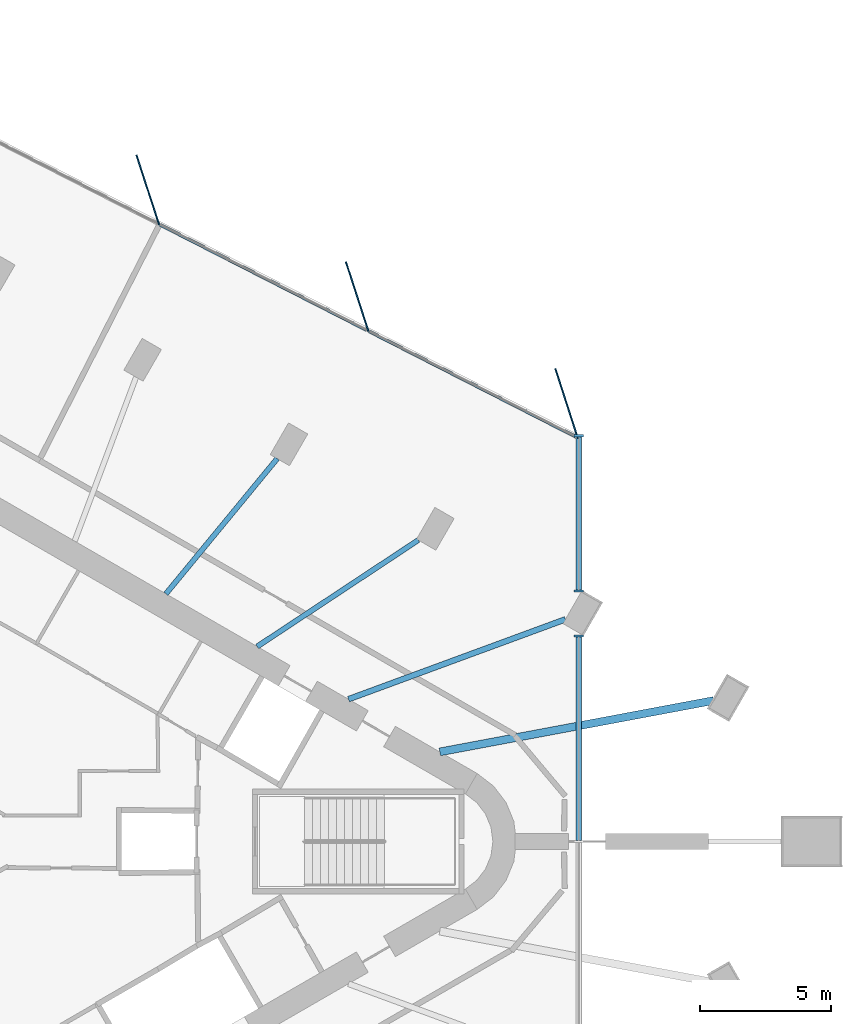
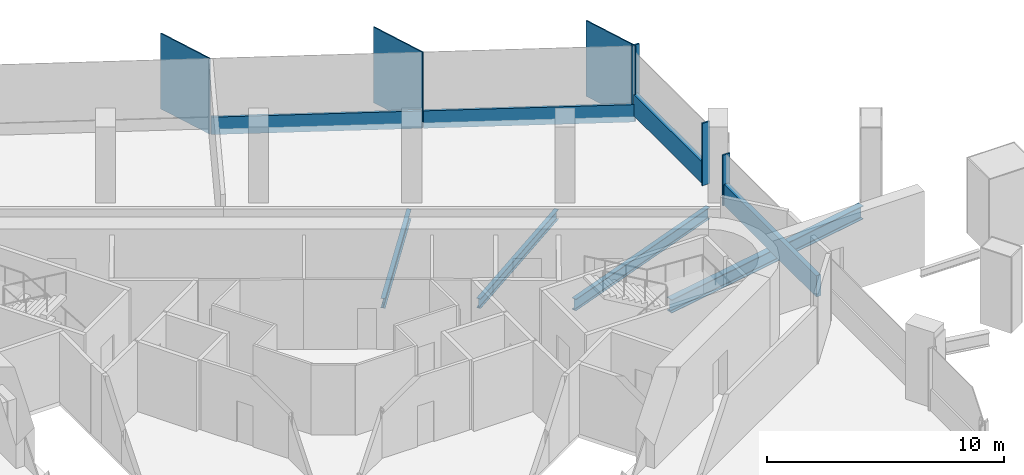
# One storey, part 5 of 12: 10 members, 4 beams, 3 elements without a shape of their own.
"""IFC4 building model written with IfcOpenShell, lengths in metres."""

import ifcopenshell
import ifcopenshell.guid

model = None  # the IFC model being written
_history = None  # IfcOwnerHistory: only IFC2X3 demands one
_inside = {}  # id of a spatial element -> (the spatial element, [elements in it])
_under = {}  # id of a project, library or spatial element -> (it, [spatial elements below it])
_declared = {}  # id of a project -> (the project, [libraries it declares])
_typed = {}  # id of a type object -> (the type object, [elements of that type])
_made_of = {}  # id of a material, layer set ... -> (it, [elements and type objects made of it])


def new_model(schema):
    """Start an empty IFC model of exactly this schema.

    Asked for "IFC4X3", IfcOpenShell would pick the latest addendum, in which some entities
    have other attributes; the version numbers below select the first issue.
    IFC2X3 requires an IfcOwnerHistory on every rooted entity: one is made here for all.
    """
    global model, _history
    if schema == "IFC4X3":
        model = ifcopenshell.file(schema_version=(4, 3, 0, 0))
    else:
        model = ifcopenshell.file(schema=schema)
    _inside.clear()
    _under.clear()
    _declared.clear()
    _typed.clear()
    _made_of.clear()
    _history = None
    if model.schema == "IFC2X3":
        org = make("IfcOrganization", Name="unknown")
        user = make(
            "IfcPersonAndOrganization",
            ThePerson=make("IfcPerson", FamilyName="unknown"),
            TheOrganization=org,
        )
        app = make(
            "IfcApplication",
            ApplicationDeveloper=org,
            Version="unknown",
            ApplicationFullName="unknown",
            ApplicationIdentifier="unknown",
        )
        _history = make(
            "IfcOwnerHistory",
            OwningUser=user,
            OwningApplication=app,
            ChangeAction="ADDED",
            CreationDate=0,
        )
    return model


def make(cls, **values):
    """One entity of the class cls with the attributes given. An attribute that is None is left unset."""
    return model.create_entity(
        cls, **{name: value for name, value in values.items() if value is not None}
    )


def rooted(cls, **values):
    """An entity with a GlobalId (a new one), such as an element, a storey or a relation."""
    return make(cls, GlobalId=ifcopenshell.guid.new(), OwnerHistory=_history, **values)


def si_unit(unit_type, name, prefix=None):
    """IfcSIUnit, for example si_unit("LENGTHUNIT", "METRE", prefix="MILLI")."""
    return make("IfcSIUnit", UnitType=unit_type, Prefix=prefix, Name=name)


def assignment(units):
    """IfcUnitAssignment: the units of a project."""
    return None if units is None else make("IfcUnitAssignment", Units=units)


def point(xyz):
    """IfcCartesianPoint."""
    return None if xyz is None else make("IfcCartesianPoint", Coordinates=xyz)


def direction(xyz):
    """IfcDirection."""
    return None if xyz is None else make("IfcDirection", DirectionRatios=xyz)


def frame(location, z_axis=None, x_axis=None):
    """IfcAxis2Placement3D, a coordinate frame: its origin and axes. An axis left out is left unset."""
    return make(
        "IfcAxis2Placement3D",
        Location=point(location),
        Axis=direction(z_axis),
        RefDirection=direction(x_axis),
    )


def frame_2d(location, x_axis=None):
    """IfcAxis2Placement2D, a coordinate frame in the plane: its origin and x axis."""
    return make(
        "IfcAxis2Placement2D", Location=point(location), RefDirection=direction(x_axis)
    )


def origin():
    """The frame at (0, 0, 0) with its axes left unset."""
    return frame((0.0, 0.0, 0.0))


def origin_2d():
    """The frame at (0, 0) in the plane with its x axis left unset."""
    return frame_2d((0.0, 0.0))


def place(relative_to, where):
    """IfcLocalPlacement: puts the frame where relative to a parent placement (None: the world)."""
    return make(
        "IfcLocalPlacement", PlacementRelTo=relative_to, RelativePlacement=where
    )


def context(
    kind, dimensions, precision=None, world=None, true_north=None, identifier=None
):
    """IfcGeometricRepresentationContext, for example the 3D "Model" context."""
    return make(
        "IfcGeometricRepresentationContext",
        ContextIdentifier=identifier,
        ContextType=kind,
        CoordinateSpaceDimension=dimensions,
        Precision=precision,
        WorldCoordinateSystem=world,
        TrueNorth=true_north,
    )


def subcontext(parent, identifier, kind, view, scale=None):
    """IfcGeometricRepresentationSubContext, for example "Body" below "Model"."""
    return make(
        "IfcGeometricRepresentationSubContext",
        ContextIdentifier=identifier,
        ContextType=kind,
        ParentContext=parent,
        TargetScale=scale,
        TargetView=view,
    )


def project(units=None, contexts=None):
    """IfcProject with its units and contexts."""
    return rooted(
        "IfcProject",
        Name="project",
        RepresentationContexts=contexts,
        UnitsInContext=assignment(units),
    )


def spatial(cls, under=None, at=None, **own):
    """A site, building, storey or space (cls), placed at a placement, below another one or the project."""
    s = rooted(cls, ObjectPlacement=at, **own)
    if under is not None:
        _under.setdefault(under.id(), (under, []))[1].append(s)
    return s


def profile(cls, at=None, kind="AREA", **sizes):
    """A parametric profile (cls). Its sizes go by their IFC names, for example OverallWidth=200.0."""
    return make(cls, ProfileType=kind, Position=at, **sizes)


def rectangle(**sizes):
    """IfcRectangleProfileDef."""
    return profile("IfcRectangleProfileDef", **sizes)


def i_section(**sizes):
    """IfcIShapeProfileDef."""
    return profile("IfcIShapeProfileDef", **sizes)


def extrude(swept, where, along, depth):
    """IfcExtrudedAreaSolid: the profile swept, set in the frame where, extruded along a direction by depth."""
    return make(
        "IfcExtrudedAreaSolid",
        SweptArea=swept,
        Position=where,
        ExtrudedDirection=direction(along),
        Depth=depth,
    )


def shape(context_of_items, identifier, shape_type, items):
    """IfcShapeRepresentation: the items that make up one representation, for example the "Body"."""
    return make(
        "IfcShapeRepresentation",
        ContextOfItems=context_of_items,
        RepresentationIdentifier=identifier,
        RepresentationType=shape_type,
        Items=items,
    )


def material(Name=None, Category=None):
    """IfcMaterial."""
    return make("IfcMaterial", Name=Name, Category=Category)


def material_profile(
    of_material, cross_section, Name=None, Category=None, Priority=None
):
    """IfcMaterialProfile: a cross section and its material."""
    return make(
        "IfcMaterialProfile",
        Name=Name,
        Material=of_material,
        Profile=cross_section,
        Priority=Priority,
        Category=Category,
    )


def profile_set(profiles, Name=None, composite=None):
    """IfcMaterialProfileSet."""
    return make(
        "IfcMaterialProfileSet",
        Name=Name,
        MaterialProfiles=profiles,
        CompositeProfile=composite,
    )


def made_of(thing, what):
    """Note that an element or type object is made of a material, layer set ...; save() writes the relation."""
    if what is not None:
        _made_of.setdefault(what.id(), (what, []))[1].append(thing)
    return thing


def type_object(cls, material=None, **own):
    """A type object (cls), such as IfcWallType, which elements share."""
    return made_of(rooted(cls, **own), material)


def element(
    cls,
    number,
    at=None,
    inside=None,
    cuts=None,
    type_object=None,
    material=None,
    context=None,
    identifier="Body",
    shape_type=None,
    held_by="IfcProductDefinitionShape",
    body=None,
    shapes=None,
    **own,
):
    """One element of the class cls, such as IfcWall. Its Tag is "e" and its number.

    at: its placement. inside: the storey or other place that contains it. cuts: it is an
    opening in that element (IfcRelVoidsElement). A single representation is given by context,
    identifier, shape_type and body (its items); several are given by shapes. held_by: the class
    of the entity that holds the representations. save() writes the other relations.
    """
    e = rooted(cls, Tag="e%d" % number, ObjectPlacement=at, **own)
    if body is not None:
        shapes = [shape(context, identifier, shape_type, body)]
    if shapes is not None:
        e.Representation = make(held_by, Representations=shapes)
    if inside is not None:
        _inside.setdefault(inside.id(), (inside, []))[1].append(e)
    if cuts is not None:
        rooted(
            "IfcRelVoidsElement", RelatingBuildingElement=cuts, RelatedOpeningElement=e
        )
    if type_object is not None:
        _typed.setdefault(type_object.id(), (type_object, []))[1].append(e)
    return made_of(e, material)


def aggregate(whole, parts):
    """IfcRelAggregates: a whole, such as a stair, and the parts it consists of."""
    return rooted("IfcRelAggregates", RelatingObject=whole, RelatedObjects=parts)


def save(model, path):
    """Write the relations noted so far, then the file.

    IfcRelAggregates (storeys below a building ...), IfcRelContainedInSpatialStructure (elements
    in a storey), IfcRelDefinesByType, IfcRelAssociatesMaterial and IfcRelDeclares: one each for
    every whole, place, type object, material and project.
    """
    for whole, parts in _under.values():
        aggregate(whole, parts)
    for where, things in _inside.values():
        rooted(
            "IfcRelContainedInSpatialStructure",
            RelatedElements=things,
            RelatingStructure=where,
        )
    for kind, things in _typed.values():
        rooted("IfcRelDefinesByType", RelatedObjects=things, RelatingType=kind)
    for what, things in _made_of.values():
        rooted("IfcRelAssociatesMaterial", RelatedObjects=things, RelatingMaterial=what)
    for by, libraries in _declared.values():
        rooted("IfcRelDeclares", RelatingContext=by, RelatedDefinitions=libraries)
    model.write(path)


model = new_model("IFC4")

# Units and contexts
model_context = context("Model", 3, precision=1e-05, world=origin(), true_north=direction((0.0, 1.0)))
body_context = subcontext(model_context, "Body", "Model", "MODEL_VIEW")
ifc_project = project(units=[si_unit("LENGTHUNIT", "METRE"), si_unit("AREAUNIT", "SQUARE_METRE"), si_unit("VOLUMEUNIT", "CUBIC_METRE"), si_unit("PLANEANGLEUNIT", "RADIAN"), si_unit("MASSUNIT", "GRAM", prefix="KILO")], contexts=[model_context])

# Site, building, storey
site_placement = place(None, origin())
site = spatial("IfcSite", under=ifc_project, at=site_placement, CompositionType="ELEMENT")
building_placement = place(site_placement, origin())
building = spatial("IfcBuilding", under=site, at=building_placement, Name="Tanit Gate Tower", CompositionType="ELEMENT")
storey_placement = place(building_placement, frame((0.0, 0.0, 365.0)))
storey = spatial("IfcBuildingStorey", under=building, at=storey_placement, Name="L83", CompositionType="ELEMENT", Elevation=365.0)

# Curtain wall, members
ifc_material_1 = material(Name="Aluminium bronze anodised and glass", Category="aluminium")
curtain_wall_type_1 = type_object("IfcCurtainWallType", Name="Curtain wall typical high", PredefinedType="NOTDEFINED", material=ifc_material_1)
curtain_wall_1_placement = place(storey_placement, origin())
curtain_wall_1 = element("IfcCurtainWall", 1, at=curtain_wall_1_placement, inside=storey, type_object=curtain_wall_type_1, Name="Curtain wall L83 NE2c", PredefinedType="NOTDEFINED")
ifc_material_2 = material(Name="Aluminium bronze anodised", Category="aluminium")
ifc_material_profile_1 = material_profile(ifc_material_2, rectangle(XDim=2.800048828125, YDim=0.055908203125, at=origin_2d()), Name="56x2800 bronze fin mullion")
ifc_profile_set_1 = profile_set([ifc_material_profile_1], Name="Aluminium bronze anodised")
member_type_1 = type_object("IfcMemberType", Name="FIN MULLION 56x2800 bronze", PredefinedType="MULLION", material=ifc_profile_set_1)
member_1_placement = place(storey_placement, frame((23.118896484375, 16.752685546875, -0.300048828125), z_axis=(0.0, 0.0, 1.0), x_axis=(0.308568289465, -0.951202192353, 0.0)))
member_1 = element("IfcMember", 2, at=member_1_placement, type_object=member_type_1, Name="Fin mullion L83 NE2c.1", PredefinedType="MULLION", context=body_context, shape_type="SweptSolid", body=[
    extrude(rectangle(XDim=2.800048828125, YDim=0.055908203125, at=origin_2d()), origin(), (0.0, 0.0, 1.0), 3.900146484375),
])
member_2_placement = place(storey_placement, frame((15.109375, 20.838623046875, -0.300048828125), z_axis=(0.0, 0.0, 1.0), x_axis=(0.308568289465, -0.951202192353, 0.0)))
member_2 = element("IfcMember", 3, at=member_2_placement, type_object=member_type_1, Name="Fin mullion L83 NE2c.2", PredefinedType="MULLION", context=body_context, shape_type="SweptSolid", body=[
    extrude(rectangle(XDim=2.800048828125, YDim=0.055908203125, at=origin_2d()), origin(), (0.0, 0.0, 1.0), 3.900146484375),
])
member_3_placement = place(storey_placement, frame((7.099853515625, 24.92431640625, -0.300048828125), z_axis=(0.0, 0.0, 1.0), x_axis=(0.308568289465, -0.951202192353, 0.0)))
member_3 = element("IfcMember", 4, at=member_3_placement, type_object=member_type_1, Name="Fin mullion L83 NE2c.3", PredefinedType="MULLION", context=body_context, shape_type="SweptSolid", body=[
    extrude(rectangle(XDim=2.800048828125, YDim=0.055908203125, at=origin_2d()), origin(), (0.0, 0.0, 1.0), 3.900146484375),
])

ifc_material_3 = material(Name="Aluminium bronze anodised and glass", Category="aluminium")
curtain_wall_type_2 = type_object("IfcCurtainWallType", Name="Curtain wall portal glazing", PredefinedType="NOTDEFINED", material=ifc_material_3)
curtain_wall_2_placement = place(storey_placement, origin())
curtain_wall_2 = element("IfcCurtainWall", 5, at=curtain_wall_2_placement, inside=storey, type_object=curtain_wall_type_2, Name="Curtain wall L83 NOTCH1", PredefinedType="NOTDEFINED")
ifc_material_4 = material(Name="Aluminium bronze anodised", Category="aluminium")
ifc_material_profile_2 = material_profile(ifc_material_4, rectangle(XDim=0.360107421875, YDim=0.080078125, at=origin_2d()), Name="80x360 bronze mullion")
ifc_profile_set_2 = profile_set([ifc_material_profile_2], Name="Aluminium bronze anodised")
member_type_2 = type_object("IfcMemberType", Name="Mullion 80x360 portal glazing", PredefinedType="MULLION", material=ifc_profile_set_2)
member_4_placement = place(storey_placement, frame((23.580078125, 15.51611328125, 0.0), z_axis=(0.0, 0.0, 1.0), x_axis=(1.0, 0.0, 0.0)))
member_4 = element("IfcMember", 6, at=member_4_placement, type_object=member_type_2, Name="Mullion L83 NOTCH1.1", PredefinedType="MULLION", context=body_context, shape_type="SweptSolid", body=[
    extrude(rectangle(XDim=0.360107421875, YDim=0.080078125, at=origin_2d()), origin(), (0.0, 0.0, 1.0), 3.60009765625),
])
member_5_placement = place(storey_placement, frame((23.580078125, 9.572265625, 0.0), z_axis=(0.0, 0.0, 1.0), x_axis=(1.0, 0.0, 0.0)))
member_5 = element("IfcMember", 7, at=member_5_placement, type_object=member_type_2, Name="Mullion L83 NOTCH1.2", PredefinedType="MULLION", context=body_context, shape_type="SweptSolid", body=[
    extrude(rectangle(XDim=0.360107421875, YDim=0.080078125, at=origin_2d()), origin(), (0.0, 0.0, 1.0), 3.2099609375),
])

# Curtain wall, member
curtain_wall_3_placement = place(storey_placement, origin())
curtain_wall_3 = element("IfcCurtainWall", 8, at=curtain_wall_3_placement, inside=storey, type_object=curtain_wall_type_2, Name="Curtain wall L83 NOTCH2", PredefinedType="NOTDEFINED")
member_6_placement = place(storey_placement, frame((23.580078125, 7.853271484375, 0.0), z_axis=(0.0, 0.0, 1.0), x_axis=(1.0, 0.0, 0.0)))
member_6 = element("IfcMember", 9, at=member_6_placement, type_object=member_type_2, Name="Mullion L83 NOTCH2.1", PredefinedType="MULLION", context=body_context, shape_type="SweptSolid", body=[
    extrude(rectangle(XDim=0.360107421875, YDim=0.080078125, at=origin_2d()), origin(), (0.0, 0.0, 1.0), 2.610107421875),
])

# Beams
ifc_material_5 = material(Name="Steel S355", Category="steel")
ifc_material_profile_3 = material_profile(ifc_material_5, i_section(OverallWidth=0.300048828125, OverallDepth=0.68994140625, WebThickness=0.014404296875, FlangeThickness=0.027099609375, FilletRadius=0.027099609375, at=origin_2d()), Name="HEA 700")
ifc_profile_set_3 = profile_set([ifc_material_profile_3], Name="Steel S355")
beam_type_1 = type_object("IfcBeamType", Name="RADIAL GIRDER HEA 700 S355", PredefinedType="BEAM", material=ifc_profile_set_3)
beam_1_placement = place(storey_placement, frame((28.745361328125, 5.390869140625, -0.64501953125), z_axis=(-0.982865703548, -0.184323109754, 0.0), x_axis=(0.184323109754, -0.982865703548, 0.0)))
element("IfcBeam", 10, at=beam_1_placement, inside=storey, type_object=beam_type_1, Name="RADIAL GIRDER", PredefinedType="BEAM", context=body_context, shape_type="SweptSolid", body=[
    extrude(i_section(OverallWidth=0.300048828125, OverallDepth=0.68994140625, WebThickness=0.014404296875, FlangeThickness=0.027099609375, FilletRadius=0.027099609375, at=origin_2d()), origin(), (0.0, 0.0, 1.0), 10.658447265625),
])
ifc_material_6 = material(Name="Steel S355", Category="steel")
ifc_material_profile_4 = material_profile(ifc_material_6, i_section(OverallWidth=0.199951171875, OverallDepth=0.5, WebThickness=0.01025390625, FlangeThickness=0.01611328125, FilletRadius=0.02099609375, at=origin_2d()), Name="IPE 500")
ifc_profile_set_4 = profile_set([ifc_material_profile_4], Name="Steel S355")
beam_type_2 = type_object("IfcBeamType", Name="RADIAL GIRDER IPE 500 S355", PredefinedType="BEAM", material=ifc_profile_set_4)
beam_2_placement = place(storey_placement, frame((17.447021484375, 11.526611328125, -0.550048828125), z_axis=(-0.834352975329, -0.551230543929, 0.0), x_axis=(0.551230543929, -0.834352975329, 0.0)))
element("IfcBeam", 11, at=beam_2_placement, inside=storey, type_object=beam_type_2, Name="RADIAL GIRDER", PredefinedType="BEAM", context=body_context, shape_type="SweptSolid", body=[
    extrude(i_section(OverallWidth=0.199951171875, OverallDepth=0.5, WebThickness=0.01025390625, FlangeThickness=0.01611328125, FilletRadius=0.02099609375, at=origin_2d()), origin(), (0.0, 0.0, 1.0), 7.38232421875),
])
beam_3_placement = place(storey_placement, frame((12.05078125, 14.64208984375, -0.550048828125), z_axis=(-0.63547714301, -0.772119680303, 0.0), x_axis=(0.772119680303, -0.63547714301, 0.0)))
element("IfcBeam", 12, at=beam_3_placement, inside=storey, type_object=beam_type_2, Name="RADIAL GIRDER", PredefinedType="BEAM", context=body_context, shape_type="SweptSolid", body=[
    extrude(i_section(OverallWidth=0.199951171875, OverallDepth=0.5, WebThickness=0.01025390625, FlangeThickness=0.01611328125, FilletRadius=0.02099609375, at=origin_2d()), origin(), (0.0, 0.0, 1.0), 6.69482421875),
])
ifc_material_7 = material(Name="Steel S355", Category="steel")
ifc_material_profile_5 = material_profile(ifc_material_7, i_section(OverallWidth=0.219970703125, OverallDepth=0.60009765625, WebThickness=0.011962890625, FlangeThickness=0.01904296875, FilletRadius=0.02392578125, at=origin_2d()), Name="IPE 600")
ifc_profile_set_5 = profile_set([ifc_material_profile_5], Name="Steel S355")
beam_type_3 = type_object("IfcBeamType", Name="RADIAL GIRDER IPE 600 S355", PredefinedType="BEAM", material=ifc_profile_set_5)
beam_4_placement = place(storey_placement, frame((23.074462890625, 8.49658203125, -0.60009765625), z_axis=(-0.938405339551, -0.345536421673, 0.0), x_axis=(0.345536421673, -0.938405339551, 0.0)))
element("IfcBeam", 13, at=beam_4_placement, inside=storey, type_object=beam_type_3, Name="RADIAL GIRDER", PredefinedType="BEAM", context=body_context, shape_type="SweptSolid", body=[
    extrude(i_section(OverallWidth=0.219970703125, OverallDepth=0.60009765625, WebThickness=0.011962890625, FlangeThickness=0.01904296875, FilletRadius=0.02392578125, at=origin_2d()), origin(), (0.0, 0.0, 1.0), 8.84033203125),
])

# Member
ifc_material_8 = material(Name="Aluminium bronze anodised", Category="aluminium")
ifc_material_profile_6 = material_profile(ifc_material_8, rectangle(XDim=0.1201171875, YDim=0.89990234375, at=origin_2d()), Name="120x900 bronze transom")
ifc_profile_set_6 = profile_set([ifc_material_profile_6], Name="Aluminium bronze anodised")
member_type_3 = type_object("IfcMemberType", Name="Transom 120x900 typical high", PredefinedType="USERDEFINED", material=ifc_profile_set_6)
member_7_placement = place(storey_placement, frame((23.50927734375, 15.4580078125, 0.14990234375), z_axis=(-0.890787218402, 0.454420654825, 0.0), x_axis=(-0.454420654825, -0.890787218402, 0.0)))
member_7 = element("IfcMember", 14, at=member_7_placement, type_object=member_type_3, Name="Transom L83 NE2c.1", ObjectType="TRANSOM", PredefinedType="USERDEFINED", context=body_context, shape_type="SweptSolid", body=[
    extrude(rectangle(XDim=0.1201171875, YDim=0.89990234375, at=origin_2d()), origin(), (0.0, 0.0, 1.0), 8.911376953125),
])

member_8_placement = place(storey_placement, frame((15.499755859375, 19.5439453125, 0.14990234375), z_axis=(-0.890803964622, 0.454387826216, 0.0), x_axis=(-0.454387826216, -0.890803964622, 0.0)))
member_8 = element("IfcMember", 15, at=member_8_placement, type_object=member_type_3, Name="Transom L83 NE2c.2", ObjectType="TRANSOM", PredefinedType="USERDEFINED", context=body_context, shape_type="SweptSolid", body=[
    extrude(rectangle(XDim=0.1201171875, YDim=0.89990234375, at=origin_2d()), origin(), (0.0, 0.0, 1.0), 8.91162109375),
])

aggregate(curtain_wall_1, [member_1, member_2, member_3, member_7, member_8])

ifc_material_9 = material(Name="Aluminium bronze anodised", Category="aluminium")
ifc_material_profile_7 = material_profile(ifc_material_9, rectangle(XDim=0.219970703125, YDim=1.10009765625, at=origin_2d()), Name="220x1100 bronze transom")
ifc_profile_set_7 = profile_set([ifc_material_profile_7], Name="Aluminium bronze anodised")
member_type_4 = type_object("IfcMemberType", Name="Transom 220x1100 portal glazing", PredefinedType="USERDEFINED", material=ifc_profile_set_7)
member_9_placement = place(storey_placement, frame((23.580078125, 15.47607421875, 0.550048828125), z_axis=(0.0, -1.0, 0.0), x_axis=(1.0, 0.0, 0.0)))
member_9 = element("IfcMember", 16, at=member_9_placement, type_object=member_type_4, Name="Transom L83 NOTCH1.1", ObjectType="TRANSOM", PredefinedType="USERDEFINED", context=body_context, shape_type="SweptSolid", body=[
    extrude(rectangle(XDim=0.219970703125, YDim=1.10009765625, at=origin_2d()), origin(), (0.0, 0.0, 1.0), 5.86376953125),
])

aggregate(curtain_wall_2, [member_4, member_5, member_9])

member_10_placement = place(storey_placement, frame((23.580078125, 7.8134765625, 0.550048828125), z_axis=(0.0, -1.0, 0.0), x_axis=(1.0, 0.0, 0.0)))
member_10 = element("IfcMember", 17, at=member_10_placement, type_object=member_type_4, Name="Transom L83 NOTCH2.1", ObjectType="TRANSOM", PredefinedType="USERDEFINED", context=body_context, shape_type="SweptSolid", body=[
    extrude(rectangle(XDim=0.219970703125, YDim=1.10009765625, at=origin_2d()), origin(), (0.0, 0.0, 1.0), 7.7734375),
])

aggregate(curtain_wall_3, [member_6, member_10])

save(model, "model.ifc")
